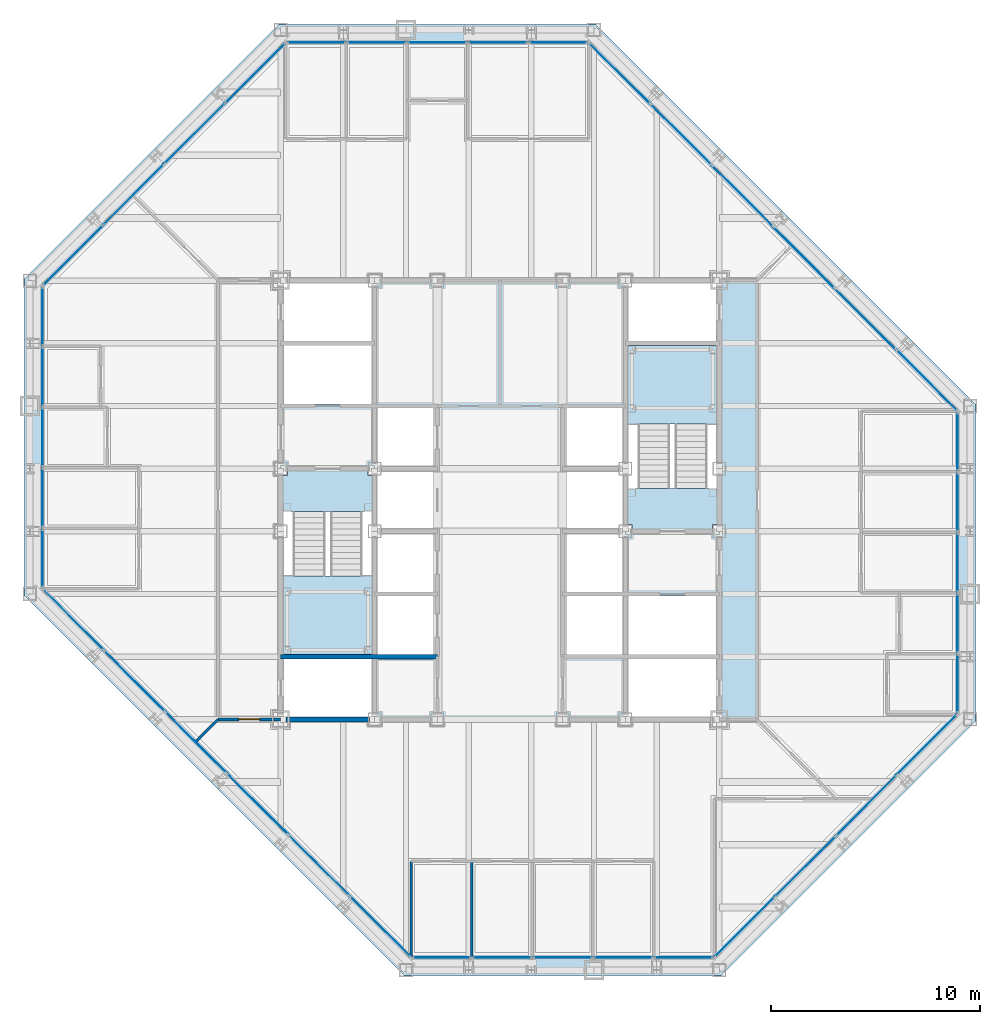
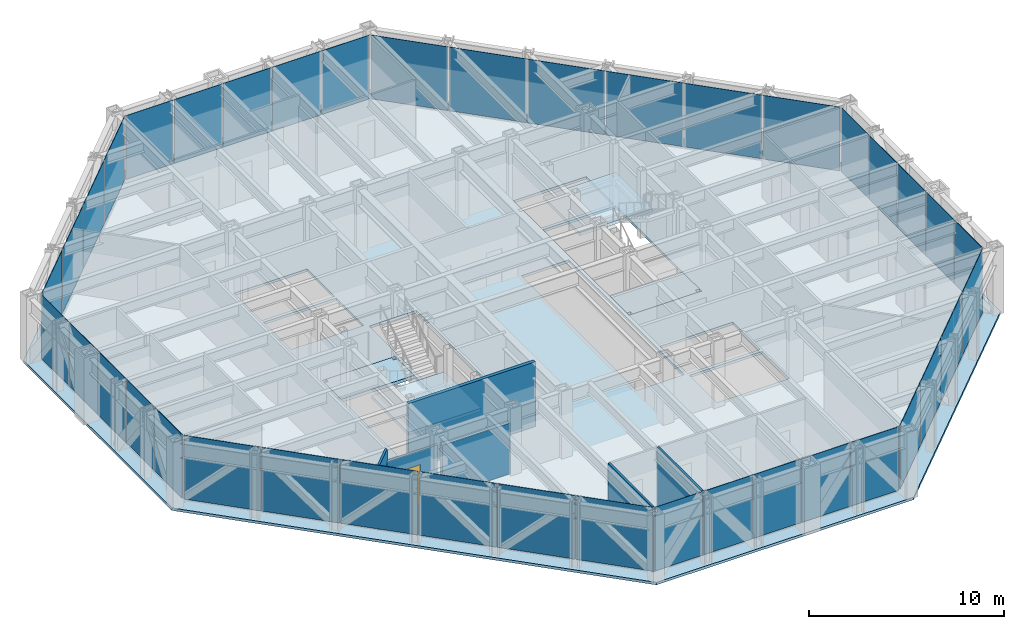
# One storey, part 9 of 15: 40 plates, 6 walls, 5 slabs, 1 door, 1 opening, 10 elements without a shape of their own.
"""IFC4 building model written with IfcOpenShell, lengths in metres."""

from ifc_helpers import new_model, si_unit, direction, frame, frame_2d, origin, origin_2d, place, context, subcontext, project, spatial, polyline, rectangle, outline, extrude, material, layer, layer_set, type_object, element, fill, aggregate, save


model = new_model("IFC4")

# Units and contexts
model_context = context("Model", 3, precision=1e-05, world=origin(), true_north=direction((0.0, 1.0)))
body_context = subcontext(model_context, "Body", "Model", "MODEL_VIEW")
ifc_project = project(units=[si_unit("LENGTHUNIT", "METRE"), si_unit("AREAUNIT", "SQUARE_METRE"), si_unit("VOLUMEUNIT", "CUBIC_METRE"), si_unit("PLANEANGLEUNIT", "RADIAN"), si_unit("MASSUNIT", "GRAM", prefix="KILO")], contexts=[model_context])

# Site, building, storey
site_placement = place(None, origin())
site = spatial("IfcSite", under=ifc_project, at=site_placement, CompositionType="ELEMENT")
building_placement = place(site_placement, origin())
building = spatial("IfcBuilding", under=site, at=building_placement, Name="Chuquiago Exchange Tower", CompositionType="ELEMENT")
storey_placement = place(building_placement, frame((0.0, 0.0, 192.89990234375)))
storey = spatial("IfcBuildingStorey", under=building, at=storey_placement, Name="L42", CompositionType="ELEMENT", Elevation=192.89990234375)

# Curtain wall, plate
ifc_material_1 = material(Name="Aluminium curtain wall system", Category="aluminium")
ifc_layer_1 = layer(ifc_material_1, 0.22509765625)
ifc_layer_set_1 = layer_set([ifc_layer_1], Name="CW2 office curtain wall")
curtain_wall_type_1 = type_object("IfcCurtainWallType", Name="CW2 office curtain wall", PredefinedType="NOTDEFINED", material=ifc_layer_set_1)
curtain_wall_1_placement = place(storey_placement, origin())
curtain_wall_1 = element("IfcCurtainWall", 1, at=curtain_wall_1_placement, inside=storey, type_object=curtain_wall_type_1, Name="CW2 curtain wall L42", PredefinedType="NOTDEFINED")
ifc_material_2 = material(Name="Glass, insulating unit", Category="glass")
ifc_layer_2 = layer(ifc_material_2, 0.030029296875)
ifc_layer_set_2 = layer_set([ifc_layer_2], Name="CW2-P panel 30")
plate_type_1 = type_object("IfcPlateType", Name="CW2-P panel 30", PredefinedType="CURTAIN_PANEL", material=ifc_layer_set_2)
plate_1_placement = place(storey_placement, frame((25.5, 0.60009765625, 0.06494140625), z_axis=(0.0, 0.0, 1.0), x_axis=(1.0, 0.0, 0.0)))
plate_1 = element("IfcPlate", 2, at=plate_1_placement, type_object=plate_type_1, Name="CW2 panel 3.1", PredefinedType="CURTAIN_PANEL", context=body_context, shape_type="SweptSolid", body=[
    extrude(rectangle(XDim=2.835693359375, YDim=0.030029296875, at=origin_2d()), origin(), (0.0, 0.0, 1.0), 3.97509765625),
])

curtain_wall_2_placement = place(storey_placement, origin())
curtain_wall_2 = element("IfcCurtainWall", 3, at=curtain_wall_2_placement, inside=storey, type_object=curtain_wall_type_1, Name="CW2 curtain wall L42", PredefinedType="NOTDEFINED")
plate_2_placement = place(storey_placement, frame((44.39990234375, 19.5, 0.06494140625), z_axis=(0.0, 0.0, 1.0), x_axis=(0.0, 1.0, 0.0)))
plate_2 = element("IfcPlate", 4, at=plate_2_placement, type_object=plate_type_1, Name="CW2 panel 3.1", PredefinedType="CURTAIN_PANEL", context=body_context, shape_type="SweptSolid", body=[
    extrude(rectangle(XDim=2.835693359375, YDim=0.030029296875, at=origin_2d()), origin(), (0.0, 0.0, 1.0), 3.97509765625),
])

curtain_wall_3_placement = place(storey_placement, origin())
curtain_wall_3 = element("IfcCurtainWall", 5, at=curtain_wall_3_placement, inside=storey, type_object=curtain_wall_type_1, Name="CW2 curtain wall L42", PredefinedType="NOTDEFINED")
plate_3_placement = place(storey_placement, frame((19.5, 44.39990234375, 0.06494140625), z_axis=(0.0, 0.0, 1.0), x_axis=(-1.0, 0.0, 0.0)))
plate_3 = element("IfcPlate", 6, at=plate_3_placement, type_object=plate_type_1, Name="CW2 panel 3.1", PredefinedType="CURTAIN_PANEL", context=body_context, shape_type="SweptSolid", body=[
    extrude(rectangle(XDim=2.835693359375, YDim=0.030029296875, at=origin_2d()), origin(), (0.0, 0.0, 1.0), 3.97509765625),
])

curtain_wall_4_placement = place(storey_placement, origin())
curtain_wall_4 = element("IfcCurtainWall", 7, at=curtain_wall_4_placement, inside=storey, type_object=curtain_wall_type_1, Name="CW2 curtain wall L42", PredefinedType="NOTDEFINED")
plate_4_placement = place(storey_placement, frame((0.60009765625, 25.5, 0.06494140625), z_axis=(0.0, 0.0, 1.0), x_axis=(0.0, -1.0, 0.0)))
plate_4 = element("IfcPlate", 8, at=plate_4_placement, type_object=plate_type_1, Name="CW2 panel 3.1", PredefinedType="CURTAIN_PANEL", context=body_context, shape_type="SweptSolid", body=[
    extrude(rectangle(XDim=2.835693359375, YDim=0.030029296875, at=origin_2d()), origin(), (0.0, 0.0, 1.0), 3.97509765625),
])

# Plate
ifc_material_3 = material(Name="Insulated spandrel panel, pale anodised aluminium", Category="aluminium")
ifc_layer_3 = layer(ifc_material_3, 0.030029296875)
ifc_layer_set_3 = layer_set([ifc_layer_3], Name="CW2-P spandrel panel 30")
plate_type_2 = type_object("IfcPlateType", Name="CW2-P spandrel panel 30", PredefinedType="CURTAIN_PANEL", material=ifc_layer_set_3)
plate_5_placement = place(storey_placement, frame((19.715087890625, 0.60009765625, 0.06494140625), z_axis=(0.0, 0.0, 1.0), x_axis=(1.0, 0.0, 0.0)))
plate_5 = element("IfcPlate", 9, at=plate_5_placement, type_object=plate_type_2, Name="CW2 panel 1.1", PredefinedType="CURTAIN_PANEL", context=body_context, shape_type="SweptSolid", body=[
    extrude(rectangle(XDim=2.802978515625, YDim=0.030029296875, at=origin_2d()), origin(), (0.0, 0.0, 1.0), 3.97509765625),
])

plate_6_placement = place(storey_placement, frame((22.599365234375, 0.60009765625, 0.06494140625), z_axis=(0.0, 0.0, 1.0), x_axis=(1.0, 0.0, 0.0)))
plate_6 = element("IfcPlate", 10, at=plate_6_placement, type_object=plate_type_2, Name="CW2 panel 2.1", PredefinedType="CURTAIN_PANEL", context=body_context, shape_type="SweptSolid", body=[
    extrude(rectangle(XDim=2.835693359375, YDim=0.030029296875, at=origin_2d()), origin(), (0.0, 0.0, 1.0), 3.97509765625),
])

plate_7_placement = place(storey_placement, frame((28.400634765625, 0.60009765625, 0.06494140625), z_axis=(0.0, 0.0, 1.0), x_axis=(1.0, 0.0, 0.0)))
plate_7 = element("IfcPlate", 11, at=plate_7_placement, type_object=plate_type_2, Name="CW2 panel 4.1", PredefinedType="CURTAIN_PANEL", context=body_context, shape_type="SweptSolid", body=[
    extrude(rectangle(XDim=2.835693359375, YDim=0.030029296875, at=origin_2d()), origin(), (0.0, 0.0, 1.0), 3.97509765625),
])

plate_8_placement = place(storey_placement, frame((31.284912109375, 0.60009765625, 0.06494140625), z_axis=(0.0, 0.0, 1.0), x_axis=(1.0, 0.0, 0.0)))
plate_8 = element("IfcPlate", 12, at=plate_8_placement, type_object=plate_type_2, Name="CW2 panel 5.1", PredefinedType="CURTAIN_PANEL", context=body_context, shape_type="SweptSolid", body=[
    extrude(rectangle(XDim=2.802978515625, YDim=0.030029296875, at=origin_2d()), origin(), (0.0, 0.0, 1.0), 3.97509765625),
])

aggregate(curtain_wall_1, [plate_5, plate_6, plate_1, plate_7, plate_8])

plate_9_placement = place(storey_placement, frame((44.39990234375, 13.715087890625, 0.06494140625), z_axis=(0.0, 0.0, 1.0), x_axis=(0.0, 1.0, 0.0)))
plate_9 = element("IfcPlate", 13, at=plate_9_placement, type_object=plate_type_2, Name="CW2 panel 1.1", PredefinedType="CURTAIN_PANEL", context=body_context, shape_type="SweptSolid", body=[
    extrude(rectangle(XDim=2.802978515625, YDim=0.030029296875, at=origin_2d()), origin(), (0.0, 0.0, 1.0), 3.97509765625),
])

plate_10_placement = place(storey_placement, frame((44.39990234375, 16.599365234375, 0.06494140625), z_axis=(0.0, 0.0, 1.0), x_axis=(0.0, 1.0, 0.0)))
plate_10 = element("IfcPlate", 14, at=plate_10_placement, type_object=plate_type_2, Name="CW2 panel 2.1", PredefinedType="CURTAIN_PANEL", context=body_context, shape_type="SweptSolid", body=[
    extrude(rectangle(XDim=2.835693359375, YDim=0.030029296875, at=origin_2d()), origin(), (0.0, 0.0, 1.0), 3.97509765625),
])

plate_11_placement = place(storey_placement, frame((44.39990234375, 22.400634765625, 0.06494140625), z_axis=(0.0, 0.0, 1.0), x_axis=(0.0, 1.0, 0.0)))
plate_11 = element("IfcPlate", 15, at=plate_11_placement, type_object=plate_type_2, Name="CW2 panel 4.1", PredefinedType="CURTAIN_PANEL", context=body_context, shape_type="SweptSolid", body=[
    extrude(rectangle(XDim=2.835693359375, YDim=0.030029296875, at=origin_2d()), origin(), (0.0, 0.0, 1.0), 3.97509765625),
])

plate_12_placement = place(storey_placement, frame((44.39990234375, 25.284912109375, 0.06494140625), z_axis=(0.0, 0.0, 1.0), x_axis=(0.0, 1.0, 0.0)))
plate_12 = element("IfcPlate", 16, at=plate_12_placement, type_object=plate_type_2, Name="CW2 panel 5.1", PredefinedType="CURTAIN_PANEL", context=body_context, shape_type="SweptSolid", body=[
    extrude(rectangle(XDim=2.802978515625, YDim=0.030029296875, at=origin_2d()), origin(), (0.0, 0.0, 1.0), 3.97509765625),
])

aggregate(curtain_wall_2, [plate_9, plate_10, plate_2, plate_11, plate_12])

plate_13_placement = place(storey_placement, frame((25.284912109375, 44.39990234375, 0.06494140625), z_axis=(0.0, 0.0, 1.0), x_axis=(-1.0, 0.0, 0.0)))
plate_13 = element("IfcPlate", 17, at=plate_13_placement, type_object=plate_type_2, Name="CW2 panel 1.1", PredefinedType="CURTAIN_PANEL", context=body_context, shape_type="SweptSolid", body=[
    extrude(rectangle(XDim=2.802978515625, YDim=0.030029296875, at=origin_2d()), origin(), (0.0, 0.0, 1.0), 3.97509765625),
])

plate_14_placement = place(storey_placement, frame((22.400634765625, 44.39990234375, 0.06494140625), z_axis=(0.0, 0.0, 1.0), x_axis=(-1.0, 0.0, 0.0)))
plate_14 = element("IfcPlate", 18, at=plate_14_placement, type_object=plate_type_2, Name="CW2 panel 2.1", PredefinedType="CURTAIN_PANEL", context=body_context, shape_type="SweptSolid", body=[
    extrude(rectangle(XDim=2.835693359375, YDim=0.030029296875, at=origin_2d()), origin(), (0.0, 0.0, 1.0), 3.97509765625),
])

plate_15_placement = place(storey_placement, frame((16.599365234375, 44.39990234375, 0.06494140625), z_axis=(0.0, 0.0, 1.0), x_axis=(-1.0, 0.0, 0.0)))
plate_15 = element("IfcPlate", 19, at=plate_15_placement, type_object=plate_type_2, Name="CW2 panel 4.1", PredefinedType="CURTAIN_PANEL", context=body_context, shape_type="SweptSolid", body=[
    extrude(rectangle(XDim=2.835693359375, YDim=0.030029296875, at=origin_2d()), origin(), (0.0, 0.0, 1.0), 3.97509765625),
])

plate_16_placement = place(storey_placement, frame((13.715087890625, 44.39990234375, 0.06494140625), z_axis=(0.0, 0.0, 1.0), x_axis=(-1.0, 0.0, 0.0)))
plate_16 = element("IfcPlate", 20, at=plate_16_placement, type_object=plate_type_2, Name="CW2 panel 5.1", PredefinedType="CURTAIN_PANEL", context=body_context, shape_type="SweptSolid", body=[
    extrude(rectangle(XDim=2.802978515625, YDim=0.030029296875, at=origin_2d()), origin(), (0.0, 0.0, 1.0), 3.97509765625),
])

aggregate(curtain_wall_3, [plate_13, plate_14, plate_3, plate_15, plate_16])

plate_17_placement = place(storey_placement, frame((0.60009765625, 31.284912109375, 0.06494140625), z_axis=(0.0, 0.0, 1.0), x_axis=(0.0, -1.0, 0.0)))
plate_17 = element("IfcPlate", 21, at=plate_17_placement, type_object=plate_type_2, Name="CW2 panel 1.1", PredefinedType="CURTAIN_PANEL", context=body_context, shape_type="SweptSolid", body=[
    extrude(rectangle(XDim=2.802978515625, YDim=0.030029296875, at=origin_2d()), origin(), (0.0, 0.0, 1.0), 3.97509765625),
])

plate_18_placement = place(storey_placement, frame((0.60009765625, 28.400634765625, 0.06494140625), z_axis=(0.0, 0.0, 1.0), x_axis=(0.0, -1.0, 0.0)))
plate_18 = element("IfcPlate", 22, at=plate_18_placement, type_object=plate_type_2, Name="CW2 panel 2.1", PredefinedType="CURTAIN_PANEL", context=body_context, shape_type="SweptSolid", body=[
    extrude(rectangle(XDim=2.835693359375, YDim=0.030029296875, at=origin_2d()), origin(), (0.0, 0.0, 1.0), 3.97509765625),
])

plate_19_placement = place(storey_placement, frame((0.60009765625, 22.599365234375, 0.06494140625), z_axis=(0.0, 0.0, 1.0), x_axis=(0.0, -1.0, 0.0)))
plate_19 = element("IfcPlate", 23, at=plate_19_placement, type_object=plate_type_2, Name="CW2 panel 4.1", PredefinedType="CURTAIN_PANEL", context=body_context, shape_type="SweptSolid", body=[
    extrude(rectangle(XDim=2.835693359375, YDim=0.030029296875, at=origin_2d()), origin(), (0.0, 0.0, 1.0), 3.97509765625),
])

plate_20_placement = place(storey_placement, frame((0.60009765625, 19.715087890625, 0.06494140625), z_axis=(0.0, 0.0, 1.0), x_axis=(0.0, -1.0, 0.0)))
plate_20 = element("IfcPlate", 24, at=plate_20_placement, type_object=plate_type_2, Name="CW2 panel 5.1", PredefinedType="CURTAIN_PANEL", context=body_context, shape_type="SweptSolid", body=[
    extrude(rectangle(XDim=2.802978515625, YDim=0.030029296875, at=origin_2d()), origin(), (0.0, 0.0, 1.0), 3.97509765625),
])

aggregate(curtain_wall_4, [plate_17, plate_18, plate_4, plate_19, plate_20])

# Curtain wall, plates
ifc_material_4 = material(Name="Aluminium curtain wall system", Category="aluminium")
ifc_layer_4 = layer(ifc_material_4, 0.199951171875)
ifc_layer_set_4 = layer_set([ifc_layer_4], Name="CW3 facet curtain wall")
curtain_wall_type_2 = type_object("IfcCurtainWallType", Name="CW3 facet curtain wall", PredefinedType="NOTDEFINED", material=ifc_layer_set_4)
curtain_wall_5_placement = place(storey_placement, origin())
curtain_wall_5 = element("IfcCurtainWall", 25, at=curtain_wall_5_placement, inside=storey, type_object=curtain_wall_type_2, Name="CW3 curtain wall L42", PredefinedType="NOTDEFINED")
ifc_material_5 = material(Name="Insulated spandrel panel, pale anodised aluminium", Category="aluminium")
ifc_layer_5 = layer(ifc_material_5, 0.030029296875)
ifc_layer_set_5 = layer_set([ifc_layer_5], Name="CW3-P spandrel panel 30")
plate_type_3 = type_object("IfcPlateType", Name="CW3-P spandrel panel 30", PredefinedType="CURTAIN_PANEL", material=ifc_layer_set_5)
plate_21_placement = place(storey_placement, frame((34.218994140625, 2.067626953125, 0.06494140625), z_axis=(0.0, 0.0, 1.0), x_axis=(0.707106781187, 0.707106781187, 0.0)))
plate_21 = element("IfcPlate", 26, at=plate_21_placement, type_object=plate_type_3, Name="CW3 panel 1.1", PredefinedType="CURTAIN_PANEL", context=body_context, shape_type="SweptSolid", body=[
    extrude(rectangle(XDim=4.020751953125, YDim=0.030029296875, at=origin_2d()), origin(), (0.0, 0.0, 1.0), 3.97509765625),
])
plate_22_placement = place(storey_placement, frame((37.11962890625, 4.96826171875, 0.06494140625), z_axis=(0.0, 0.0, 1.0), x_axis=(0.707106781187, 0.707106781187, 0.0)))
plate_22 = element("IfcPlate", 27, at=plate_22_placement, type_object=plate_type_3, Name="CW3 panel 2.1", PredefinedType="CURTAIN_PANEL", context=body_context, shape_type="SweptSolid", body=[
    extrude(rectangle(XDim=4.053466796875, YDim=0.030029296875, at=origin_2d()), origin(), (0.0, 0.0, 1.0), 3.97509765625),
])
plate_23_placement = place(storey_placement, frame((40.03173828125, 7.88037109375, 0.06494140625), z_axis=(0.0, 0.0, 1.0), x_axis=(0.707106781187, 0.707106781187, 0.0)))
plate_23 = element("IfcPlate", 28, at=plate_23_placement, type_object=plate_type_3, Name="CW3 panel 3.1", PredefinedType="CURTAIN_PANEL", context=body_context, shape_type="SweptSolid", body=[
    extrude(rectangle(XDim=4.053466796875, YDim=0.030029296875, at=origin_2d()), origin(), (0.0, 0.0, 1.0), 3.97509765625),
])
plate_24_placement = place(storey_placement, frame((42.932373046875, 10.781005859375, 0.06494140625), z_axis=(0.0, 0.0, 1.0), x_axis=(0.707106781187, 0.707106781187, 0.0)))
plate_24 = element("IfcPlate", 29, at=plate_24_placement, type_object=plate_type_3, Name="CW3 panel 4.1", PredefinedType="CURTAIN_PANEL", context=body_context, shape_type="SweptSolid", body=[
    extrude(rectangle(XDim=4.020751953125, YDim=0.030029296875, at=origin_2d()), origin(), (0.0, 0.0, 1.0), 3.97509765625),
])
aggregate(curtain_wall_5, [plate_21, plate_22, plate_23, plate_24])

curtain_wall_6_placement = place(storey_placement, origin())
curtain_wall_6 = element("IfcCurtainWall", 30, at=curtain_wall_6_placement, inside=storey, type_object=curtain_wall_type_2, Name="CW3 curtain wall L42", PredefinedType="NOTDEFINED")
plate_25_placement = place(storey_placement, frame((42.917724609375, 28.233642578125, 0.06494140625), z_axis=(0.0, 0.0, 1.0), x_axis=(-0.707106781187, 0.707106781187, 0.0)))
plate_25 = element("IfcPlate", 31, at=plate_25_placement, type_object=plate_type_3, Name="CW3 panel 1.1", PredefinedType="CURTAIN_PANEL", context=body_context, shape_type="SweptSolid", body=[
    extrude(rectangle(XDim=4.062255859375, YDim=0.030029296875, at=origin_2d()), origin(), (0.0, 0.0, 1.0), 3.97509765625),
])
plate_26_placement = place(storey_placement, frame((39.98779296875, 31.16357421875, 0.06494140625), z_axis=(0.0, 0.0, 1.0), x_axis=(-0.707106781187, 0.707106781187, 0.0)))
plate_26 = element("IfcPlate", 32, at=plate_26_placement, type_object=plate_type_3, Name="CW3 panel 2.1", PredefinedType="CURTAIN_PANEL", context=body_context, shape_type="SweptSolid", body=[
    extrude(rectangle(XDim=4.0947265625, YDim=0.030029296875, at=origin_2d()), origin(), (0.0, 0.0, 1.0), 3.97509765625),
])
plate_27_placement = place(storey_placement, frame((37.04638671875, 34.10498046875, 0.06494140625), z_axis=(0.0, 0.0, 1.0), x_axis=(-0.707106781187, 0.707106781187, 0.0)))
plate_27 = element("IfcPlate", 33, at=plate_27_placement, type_object=plate_type_3, Name="CW3 panel 3.1", PredefinedType="CURTAIN_PANEL", context=body_context, shape_type="SweptSolid", body=[
    extrude(rectangle(XDim=4.0947265625, YDim=0.030029296875, at=origin_2d()), origin(), (0.0, 0.0, 1.0), 3.97509765625),
])
plate_28_placement = place(storey_placement, frame((34.10498046875, 37.04638671875, 0.06494140625), z_axis=(0.0, 0.0, 1.0), x_axis=(-0.707106781187, 0.707106781187, 0.0)))
plate_28 = element("IfcPlate", 34, at=plate_28_placement, type_object=plate_type_3, Name="CW3 panel 4.1", PredefinedType="CURTAIN_PANEL", context=body_context, shape_type="SweptSolid", body=[
    extrude(rectangle(XDim=4.0947265625, YDim=0.030029296875, at=origin_2d()), origin(), (0.0, 0.0, 1.0), 3.97509765625),
])
plate_29_placement = place(storey_placement, frame((31.16357421875, 39.98779296875, 0.06494140625), z_axis=(0.0, 0.0, 1.0), x_axis=(-0.707106781187, 0.707106781187, 0.0)))
plate_29 = element("IfcPlate", 35, at=plate_29_placement, type_object=plate_type_3, Name="CW3 panel 5.1", PredefinedType="CURTAIN_PANEL", context=body_context, shape_type="SweptSolid", body=[
    extrude(rectangle(XDim=4.0947265625, YDim=0.030029296875, at=origin_2d()), origin(), (0.0, 0.0, 1.0), 3.97509765625),
])
plate_30_placement = place(storey_placement, frame((28.233642578125, 42.917724609375, 0.06494140625), z_axis=(0.0, 0.0, 1.0), x_axis=(-0.707106781187, 0.707106781187, 0.0)))
plate_30 = element("IfcPlate", 36, at=plate_30_placement, type_object=plate_type_3, Name="CW3 panel 6.1", PredefinedType="CURTAIN_PANEL", context=body_context, shape_type="SweptSolid", body=[
    extrude(rectangle(XDim=4.062255859375, YDim=0.030029296875, at=origin_2d()), origin(), (0.0, 0.0, 1.0), 3.97509765625),
])
aggregate(curtain_wall_6, [plate_25, plate_26, plate_27, plate_28, plate_29, plate_30])

curtain_wall_7_placement = place(storey_placement, origin())
curtain_wall_7 = element("IfcCurtainWall", 37, at=curtain_wall_7_placement, inside=storey, type_object=curtain_wall_type_2, Name="CW3 curtain wall L42", PredefinedType="NOTDEFINED")
plate_31_placement = place(storey_placement, frame((10.781005859375, 42.932373046875, 0.06494140625), z_axis=(0.0, 0.0, 1.0), x_axis=(-0.707106781187, -0.707106781187, 0.0)))
plate_31 = element("IfcPlate", 38, at=plate_31_placement, type_object=plate_type_3, Name="CW3 panel 1.1", PredefinedType="CURTAIN_PANEL", context=body_context, shape_type="SweptSolid", body=[
    extrude(rectangle(XDim=4.020751953125, YDim=0.030029296875, at=origin_2d()), origin(), (0.0, 0.0, 1.0), 3.97509765625),
])
plate_32_placement = place(storey_placement, frame((7.88037109375, 40.03173828125, 0.06494140625), z_axis=(0.0, 0.0, 1.0), x_axis=(-0.707106781187, -0.707106781187, 0.0)))
plate_32 = element("IfcPlate", 39, at=plate_32_placement, type_object=plate_type_3, Name="CW3 panel 2.1", PredefinedType="CURTAIN_PANEL", context=body_context, shape_type="SweptSolid", body=[
    extrude(rectangle(XDim=4.053466796875, YDim=0.030029296875, at=origin_2d()), origin(), (0.0, 0.0, 1.0), 3.97509765625),
])
plate_33_placement = place(storey_placement, frame((4.96826171875, 37.11962890625, 0.06494140625), z_axis=(0.0, 0.0, 1.0), x_axis=(-0.707106781187, -0.707106781187, 0.0)))
plate_33 = element("IfcPlate", 40, at=plate_33_placement, type_object=plate_type_3, Name="CW3 panel 3.1", PredefinedType="CURTAIN_PANEL", context=body_context, shape_type="SweptSolid", body=[
    extrude(rectangle(XDim=4.053466796875, YDim=0.030029296875, at=origin_2d()), origin(), (0.0, 0.0, 1.0), 3.97509765625),
])
plate_34_placement = place(storey_placement, frame((2.067626953125, 34.218994140625, 0.06494140625), z_axis=(0.0, 0.0, 1.0), x_axis=(-0.707106781187, -0.707106781187, 0.0)))
plate_34 = element("IfcPlate", 41, at=plate_34_placement, type_object=plate_type_3, Name="CW3 panel 4.1", PredefinedType="CURTAIN_PANEL", context=body_context, shape_type="SweptSolid", body=[
    extrude(rectangle(XDim=4.020751953125, YDim=0.030029296875, at=origin_2d()), origin(), (0.0, 0.0, 1.0), 3.97509765625),
])
aggregate(curtain_wall_7, [plate_31, plate_32, plate_33, plate_34])

curtain_wall_8_placement = place(storey_placement, origin())
curtain_wall_8 = element("IfcCurtainWall", 42, at=curtain_wall_8_placement, inside=storey, type_object=curtain_wall_type_2, Name="CW3 curtain wall L42", PredefinedType="NOTDEFINED")
plate_35_placement = place(storey_placement, frame((2.082275390625, 16.766357421875, 0.06494140625), z_axis=(0.0, 0.0, 1.0), x_axis=(0.707106781187, -0.707106781187, 0.0)))
plate_35 = element("IfcPlate", 43, at=plate_35_placement, type_object=plate_type_3, Name="CW3 panel 1.1", PredefinedType="CURTAIN_PANEL", context=body_context, shape_type="SweptSolid", body=[
    extrude(rectangle(XDim=4.062255859375, YDim=0.030029296875, at=origin_2d()), origin(), (0.0, 0.0, 1.0), 3.97509765625),
])
plate_36_placement = place(storey_placement, frame((5.01220703125, 13.83642578125, 0.06494140625), z_axis=(0.0, 0.0, 1.0), x_axis=(0.707106781187, -0.707106781187, 0.0)))
plate_36 = element("IfcPlate", 44, at=plate_36_placement, type_object=plate_type_3, Name="CW3 panel 2.1", PredefinedType="CURTAIN_PANEL", context=body_context, shape_type="SweptSolid", body=[
    extrude(rectangle(XDim=4.0947265625, YDim=0.030029296875, at=origin_2d()), origin(), (0.0, 0.0, 1.0), 3.97509765625),
])
plate_37_placement = place(storey_placement, frame((7.95361328125, 10.89501953125, 0.06494140625), z_axis=(0.0, 0.0, 1.0), x_axis=(0.707106781187, -0.707106781187, 0.0)))
plate_37 = element("IfcPlate", 45, at=plate_37_placement, type_object=plate_type_3, Name="CW3 panel 3.1", PredefinedType="CURTAIN_PANEL", context=body_context, shape_type="SweptSolid", body=[
    extrude(rectangle(XDim=4.0947265625, YDim=0.030029296875, at=origin_2d()), origin(), (0.0, 0.0, 1.0), 3.97509765625),
])
plate_38_placement = place(storey_placement, frame((10.89501953125, 7.95361328125, 0.06494140625), z_axis=(0.0, 0.0, 1.0), x_axis=(0.707106781187, -0.707106781187, 0.0)))
plate_38 = element("IfcPlate", 46, at=plate_38_placement, type_object=plate_type_3, Name="CW3 panel 4.1", PredefinedType="CURTAIN_PANEL", context=body_context, shape_type="SweptSolid", body=[
    extrude(rectangle(XDim=4.0947265625, YDim=0.030029296875, at=origin_2d()), origin(), (0.0, 0.0, 1.0), 3.97509765625),
])
plate_39_placement = place(storey_placement, frame((13.83642578125, 5.01220703125, 0.06494140625), z_axis=(0.0, 0.0, 1.0), x_axis=(0.707106781187, -0.707106781187, 0.0)))
plate_39 = element("IfcPlate", 47, at=plate_39_placement, type_object=plate_type_3, Name="CW3 panel 5.1", PredefinedType="CURTAIN_PANEL", context=body_context, shape_type="SweptSolid", body=[
    extrude(rectangle(XDim=4.0947265625, YDim=0.030029296875, at=origin_2d()), origin(), (0.0, 0.0, 1.0), 3.97509765625),
])
plate_40_placement = place(storey_placement, frame((16.766357421875, 2.082275390625, 0.06494140625), z_axis=(0.0, 0.0, 1.0), x_axis=(0.707106781187, -0.707106781187, 0.0)))
plate_40 = element("IfcPlate", 48, at=plate_40_placement, type_object=plate_type_3, Name="CW3 panel 6.1", PredefinedType="CURTAIN_PANEL", context=body_context, shape_type="SweptSolid", body=[
    extrude(rectangle(XDim=4.062255859375, YDim=0.030029296875, at=origin_2d()), origin(), (0.0, 0.0, 1.0), 3.97509765625),
])
aggregate(curtain_wall_8, [plate_35, plate_36, plate_37, plate_38, plate_39, plate_40])

# Slab
ifc_material_6 = material(Name="Concrete C30/37", Category="concrete")
ifc_layer_6 = layer(ifc_material_6, 0.159912109375)
ifc_layer_set_6 = layer_set([ifc_layer_6], Name="FS1 composite floor 160")
slab_type_1 = type_object("IfcSlabType", Name="FS1 composite floor 160", PredefinedType="FLOOR", material=ifc_layer_set_6)
slab_1_placement = place(storey_placement, frame((0.0, 0.0, -0.159912109375)))
element("IfcSlab", 49, at=slab_1_placement, inside=storey, type_object=slab_type_1, Name="L42 floor slab", PredefinedType="FLOOR", context=body_context, shape_type="SweptSolid", body=[
    extrude(outline(polyline([(17.896484375, -0.25), (-0.25, 17.896484375), (-0.25, 33.103515625), (11.896484375, 45.25), (27.103515625, 45.25), (45.25, 27.103515625), (45.25, 11.896484375), (33.103515625, -0.25), (17.896484375, -0.25)]), holes=[polyline([(16.39990234375, 15.10009765625), (12.10009765625, 15.10009765625), (12.10009765625, 23.89990234375), (16.39990234375, 23.89990234375), (16.39990234375, 15.10009765625)]), polyline([(32.89990234375, 21.10009765625), (28.60009765625, 21.10009765625), (28.60009765625, 29.89990234375), (32.89990234375, 29.89990234375), (32.89990234375, 21.10009765625)]), polyline([(16.39990234375, 12.10009765625), (12.10009765625, 12.10009765625), (12.10009765625, 14.89990234375), (16.39990234375, 14.89990234375), (16.39990234375, 12.10009765625)]), polyline([(16.39990234375, 30.10009765625), (12.10009765625, 30.10009765625), (12.10009765625, 32.89990234375), (16.39990234375, 32.89990234375), (16.39990234375, 30.10009765625)]), polyline([(32.89990234375, 12.10009765625), (28.60009765625, 12.10009765625), (28.60009765625, 14.89990234375), (32.89990234375, 14.89990234375), (32.89990234375, 12.10009765625)]), polyline([(32.89990234375, 30.10009765625), (28.60009765625, 30.10009765625), (28.60009765625, 32.89990234375), (32.89990234375, 32.89990234375), (32.89990234375, 30.10009765625)]), polyline([(16.39990234375, 27.10009765625), (12.10009765625, 27.10009765625), (12.10009765625, 29.89990234375), (16.39990234375, 29.89990234375), (16.39990234375, 27.10009765625)]), polyline([(32.89990234375, 15.10009765625), (28.60009765625, 15.10009765625), (28.60009765625, 17.89990234375), (32.89990234375, 17.89990234375), (32.89990234375, 15.10009765625)]), polyline([(19.39990234375, 15.10009765625), (16.60009765625, 15.10009765625), (16.60009765625, 26.89990234375), (19.39990234375, 26.89990234375), (19.39990234375, 15.10009765625)]), polyline([(28.39990234375, 15.10009765625), (25.60009765625, 15.10009765625), (25.60009765625, 26.89990234375), (28.39990234375, 26.89990234375), (28.39990234375, 15.10009765625)])]), origin(), (0.0, 0.0, 1.0), 0.159912109375),
])

# Stair, slabs
ifc_material_7 = material(Name="Concrete C30/37, precast", Category="concrete")
stair_type_1 = type_object("IfcStairType", Name="ST1 half-turn stair 4200", PredefinedType="HALF_TURN_STAIR", material=ifc_material_7)
stair_1_placement = place(storey_placement, origin())
stair_1 = element("IfcStair", 50, at=stair_1_placement, inside=storey, type_object=stair_type_1, Name="Stair ST1 L42", PredefinedType="HALF_TURN_STAIR")
ifc_material_8 = material(Name="Concrete C30/37, precast", Category="concrete")
ifc_layer_7 = layer(ifc_material_8, 0.199951171875)
ifc_layer_set_7 = layer_set([ifc_layer_7], Name="ST-L landing 200")
slab_type_2 = type_object("IfcSlabType", Name="ST-L landing 200", PredefinedType="LANDING", material=ifc_layer_set_7)
slab_2_placement = place(storey_placement, frame((0.0, 0.0, -0.199951171875)))
slab_2 = element("IfcSlab", 51, at=slab_2_placement, type_object=slab_type_2, Name="ST1 landing 1", PredefinedType="LANDING", context=body_context, shape_type="SweptSolid", body=[
    extrude(outline(polyline([(12.324951171875, 23.89990234375), (16.175048828125, 23.89990234375), (16.175048828125, 23.675048828125), (16.39990234375, 23.675048828125), (16.39990234375, 21.949951171875), (12.10009765625, 21.949951171875), (12.10009765625, 23.675048828125), (12.324951171875, 23.675048828125), (12.324951171875, 23.89990234375)])), origin(), (0.0, 0.0, 1.0), 0.199951171875),
])
slab_3_placement = place(storey_placement, frame((0.0, 0.0, 1.900146484375)))
slab_3 = element("IfcSlab", 52, at=slab_3_placement, type_object=slab_type_2, Name="ST1 landing 2", PredefinedType="LANDING", context=body_context, shape_type="SweptSolid", body=[
    extrude(outline(polyline([(12.10009765625, 18.8701171875), (16.39990234375, 18.8701171875), (16.39990234375, 15.10009765625), (12.10009765625, 15.10009765625), (12.10009765625, 18.8701171875)])), origin(), (0.0, 0.0, 1.0), 0.199951171875),
])
aggregate(stair_1, [slab_2, slab_3])

ifc_material_9 = material(Name="Concrete C30/37, precast", Category="concrete")
stair_type_2 = type_object("IfcStairType", Name="ST2 half-turn stair 4200", PredefinedType="HALF_TURN_STAIR", material=ifc_material_9)
stair_2_placement = place(storey_placement, origin())
stair_2 = element("IfcStair", 53, at=stair_2_placement, inside=storey, type_object=stair_type_2, Name="Stair ST2 L42", PredefinedType="HALF_TURN_STAIR")
slab_4_placement = place(storey_placement, frame((0.0, 0.0, -0.199951171875)))
slab_4 = element("IfcSlab", 54, at=slab_4_placement, type_object=slab_type_2, Name="ST2 landing 1", PredefinedType="LANDING", context=body_context, shape_type="SweptSolid", body=[
    extrude(outline(polyline([(32.675048828125, 21.324951171875), (32.675048828125, 21.10009765625), (28.824951171875, 21.10009765625), (28.824951171875, 21.324951171875), (28.60009765625, 21.324951171875), (28.60009765625, 23.050048828125), (32.89990234375, 23.050048828125), (32.89990234375, 21.324951171875), (32.675048828125, 21.324951171875)])), origin(), (0.0, 0.0, 1.0), 0.199951171875),
])
slab_5_placement = place(storey_placement, frame((0.0, 0.0, 1.900146484375)))
slab_5 = element("IfcSlab", 55, at=slab_5_placement, type_object=slab_type_2, Name="ST2 landing 2", PredefinedType="LANDING", context=body_context, shape_type="SweptSolid", body=[
    extrude(outline(polyline([(28.60009765625, 29.89990234375), (32.89990234375, 29.89990234375), (32.89990234375, 26.1298828125), (28.60009765625, 26.1298828125), (28.60009765625, 29.89990234375)])), origin(), (0.0, 0.0, 1.0), 0.199951171875),
])
aggregate(stair_2, [slab_4, slab_5])

# Wall
ifc_material_10 = material(Name="Concrete masonry, fully grouted", Category="masonry")
ifc_layer_8 = layer(ifc_material_10, 0.25)
ifc_layer_set_8 = layer_set([ifc_layer_8], Name="W1 core wall 250")
wall_type_1 = type_object("IfcWallType", Name="W1 core wall 250", PredefinedType="SOLIDWALL", material=ifc_layer_set_8)
wall_1_placement = place(storey_placement, frame((12.25, 12.0, 0.0), z_axis=(0.0, 0.0, 1.0), x_axis=(1.0, 0.0, 0.0)))
element("IfcWall", 56, at=wall_1_placement, inside=storey, type_object=wall_type_1, Name="CW-L42-01-0", PredefinedType="SOLIDWALL", context=body_context, shape_type="SweptSolid", body=[
    extrude(rectangle(XDim=4.0, YDim=0.25, at=frame_2d((2.0, 0.0))), origin(), (0.0, 0.0, 1.0), 3.181640625),
])

# Wall, opening, door
ifc_material_11 = material(Name="Gypsum board on steel studs, acoustic insulation", Category="steel")
ifc_layer_9 = layer(ifc_material_11, 0.14990234375)
ifc_layer_set_9 = layer_set([ifc_layer_9], Name="W11 corridor wall 150")
wall_type_2 = type_object("IfcWallType", Name="W11 corridor wall 150", PredefinedType="PARTITIONING", material=ifc_layer_set_9)
wall_2_placement = place(storey_placement, frame((9.0, 12.0, 0.0), z_axis=(0.0, 0.0, 1.0), x_axis=(1.0, 0.0, 0.0)))
wall_2 = element("IfcWall", 57, at=wall_2_placement, inside=storey, type_object=wall_type_2, Name="PW-L42-GWS0", PredefinedType="PARTITIONING", context=body_context, shape_type="SweptSolid", body=[
    extrude(rectangle(XDim=3.0, YDim=0.14990234375, at=frame_2d((1.5, 0.0))), origin(), (0.0, 0.0, 1.0), 3.2705078125),
])
opening_placement = place(wall_2_placement, frame((1.0, 0.0, 0.0)))
opening = element("IfcOpeningElement", 58, at=opening_placement, cuts=wall_2, Name="Opening L42-039", PredefinedType="OPENING", context=body_context, shape_type="SweptSolid", body=[
    extrude(rectangle(XDim=1.0, YDim=2.39990234375, at=frame_2d((0.5, 1.199951171875))), frame((0.0, 0.0849609375, 0.0), z_axis=(0.0, -1.0, 0.0), x_axis=(1.0, 0.0, 0.0)), (0.0, 0.0, 1.0), 0.169921875),
])
ifc_material_12 = material(Name="Timber door, laminate faced", Category="wood")
door_type = type_object("IfcDoorType", Name="D9 room door 1000x2400", OperationType="SINGLE_SWING_LEFT", PredefinedType="DOOR", material=ifc_material_12)
door_placement = place(opening_placement, frame((1.0, 0.0, 0.0), z_axis=(0.0, 0.0, 1.0), x_axis=(-1.0, 0.0, 0.0)))
door = element("IfcDoor", 59, at=door_placement, inside=storey, type_object=door_type, Name="Team area door", OperationType="SINGLE_SWING_LEFT", OverallHeight=2.39990234375, OverallWidth=1.0, PredefinedType="DOOR", context=body_context, shape_type="SweptSolid", body=[
    extrude(rectangle(XDim=1.0, YDim=2.39990234375, at=frame_2d((0.5, 1.199951171875))), frame((0.0, 0.02490234375, 0.0), z_axis=(0.0, -1.0, 0.0), x_axis=(1.0, 0.0, 0.0)), (0.0, 0.0, 1.0), 0.050048828125),
])
fill(opening, door)

# Walls
ifc_material_13 = material(Name="Concrete masonry, fully grouted", Category="masonry")
ifc_layer_10 = layer(ifc_material_13, 0.199951171875)
ifc_layer_set_10 = layer_set([ifc_layer_10], Name="W2 shaft wall 200")
wall_type_3 = type_object("IfcWallType", Name="W2 shaft wall 200", PredefinedType="SOLIDWALL", material=ifc_layer_set_10)
wall_3_placement = place(storey_placement, frame((12.0, 15.0, 0.0), z_axis=(0.0, 0.0, 1.0), x_axis=(1.0, 0.0, 0.0)))
element("IfcWall", 60, at=wall_3_placement, inside=storey, type_object=wall_type_3, Name="CW-L42-03-0", PredefinedType="SOLIDWALL", context=body_context, shape_type="SweptSolid", body=[
    extrude(rectangle(XDim=7.5, YDim=0.199951171875, at=frame_2d((3.75, 0.0))), origin(), (0.0, 0.0, 1.0), 4.0400390625),
])
ifc_material_14 = material(Name="Gypsum board on steel studs", Category="steel")
ifc_layer_11 = layer(ifc_material_14, 0.1201171875)
ifc_layer_set_11 = layer_set([ifc_layer_11], Name="W4 partition 120")
wall_type_4 = type_object("IfcWallType", Name="W4 partition 120", PredefinedType="PARTITIONING", material=ifc_layer_set_11)
wall_4_placement = place(storey_placement, frame((18.24853515625, 0.666015625, 0.0), z_axis=(0.0, 0.0, 1.0), x_axis=(0.0, 1.0, 0.0)))
element("IfcWall", 61, at=wall_4_placement, inside=storey, type_object=wall_type_4, Name="PW-L42-S01825", PredefinedType="PARTITIONING", context=body_context, shape_type="SweptSolid", body=[
    extrude(rectangle(XDim=4.533935546875, YDim=0.1201171875, at=frame_2d((2.26708984375, 0.0))), origin(), (0.0, 0.0, 1.0), 4.0400390625),
])
wall_5_placement = place(storey_placement, frame((21.149169921875, 0.652587890625, 0.0), z_axis=(0.0, 0.0, 1.0), x_axis=(0.0, 1.0, 0.0)))
element("IfcWall", 62, at=wall_5_placement, inside=storey, type_object=wall_type_4, Name="PW-L42-S02115", PredefinedType="PARTITIONING", context=body_context, shape_type="SweptSolid", body=[
    extrude(rectangle(XDim=4.54736328125, YDim=0.1201171875, at=frame_2d((2.273681640625, 0.0))), origin(), (0.0, 0.0, 1.0), 4.0400390625),
])
wall_6_placement = place(storey_placement, frame((9.0, 12.0, 0.0), z_axis=(0.0, 0.0, 1.0), x_axis=(-0.707106781187, -0.707106781187, 0.0)))
element("IfcWall", 63, at=wall_6_placement, inside=storey, type_object=wall_type_4, Name="PW-L42-QSW", PredefinedType="PARTITIONING", context=body_context, shape_type="SweptSolid", body=[
    extrude(rectangle(XDim=1.4892578125, YDim=0.1201171875, at=frame_2d((0.74462890625, 0.0))), origin(), (0.0, 0.0, 1.0), 4.0400390625),
])

save(model, "model.ifc")
